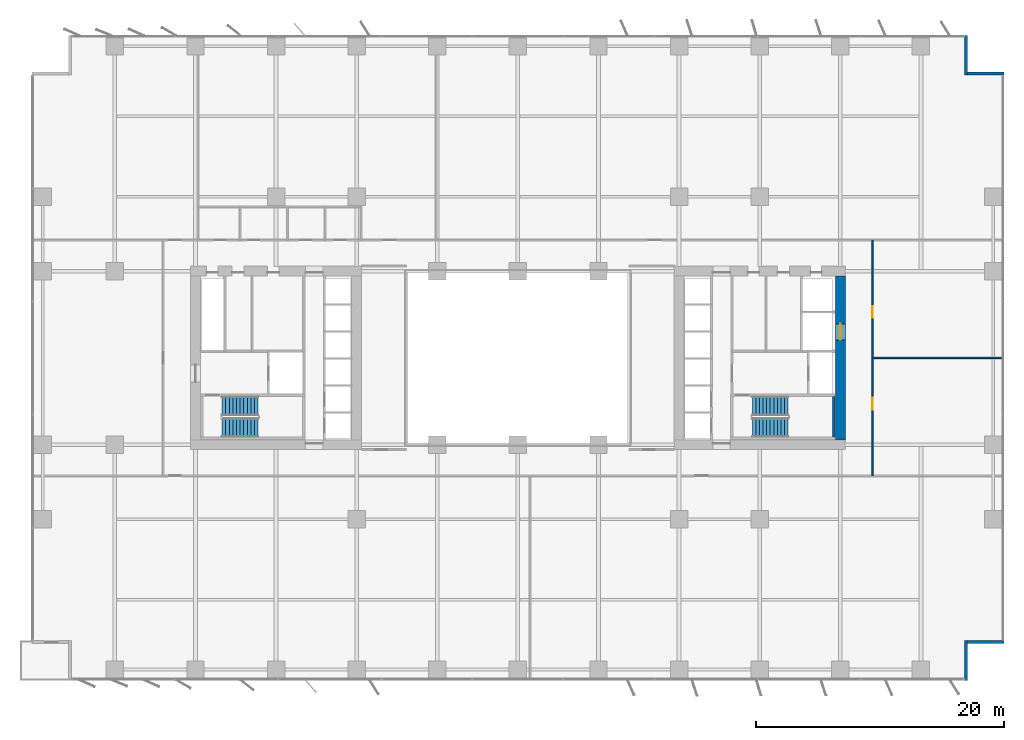
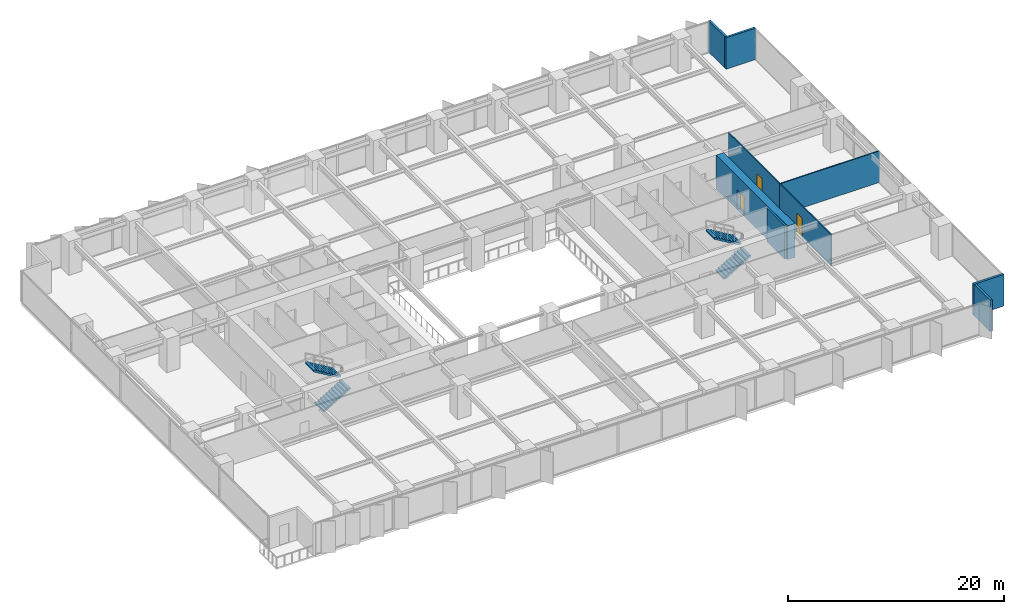
# One storey, part 16 of 20: 9 walls, 4 stair flights, 3 doors, 3 openings, 2 elements without a shape of their own.
"""IFC4 building model written with IfcOpenShell, lengths in metres."""

from ifc_helpers import new_model, si_unit, direction, frame, frame_2d, origin, place, context, subcontext, project, spatial, polyline, rectangle, outline, extrude, material, layer, layer_set, type_object, element, fill, aggregate, save


model = new_model("IFC4")

# Units and contexts
model_context = context("Model", 3, precision=1e-05, world=origin(), true_north=direction((0.0, 1.0)))
body_context = subcontext(model_context, "Body", "Model", "MODEL_VIEW")
ifc_project = project(units=[si_unit("LENGTHUNIT", "METRE"), si_unit("AREAUNIT", "SQUARE_METRE"), si_unit("VOLUMEUNIT", "CUBIC_METRE"), si_unit("PLANEANGLEUNIT", "RADIAN"), si_unit("MASSUNIT", "GRAM", prefix="KILO")], contexts=[model_context])

# Site, building, storey
site_placement = place(None, origin())
site = spatial("IfcSite", under=ifc_project, at=site_placement, CompositionType="ELEMENT")
building_placement = place(site_placement, origin())
building = spatial("IfcBuilding", under=site, at=building_placement, Name="Putna Gate Headquarters", CompositionType="ELEMENT")
storey_placement = place(building_placement, frame((0.0, 0.0, 27.800048828125)))
storey = spatial("IfcBuildingStorey", under=building, at=storey_placement, Name="L05", CompositionType="ELEMENT", Elevation=27.800048828125)

# Wall, opening, door
ifc_material_1 = material(Name="Concrete C60/75", Category="concrete")
ifc_layer_1 = layer(ifc_material_1, 0.800048828125)
ifc_layer_set_1 = layer_set([ifc_layer_1], Name="Concrete C60/75")
wall_type_1 = type_object("IfcWallType", Name="WALL-CORE-800", PredefinedType="SHEAR", material=ifc_layer_set_1)
wall_1_placement = place(storey_placement, frame((65.0, 19.39990234375, 0.0), z_axis=(0.0, 0.0, 1.0), x_axis=(0.0, 1.0, 0.0)))
wall_1 = element("IfcWall", 1, at=wall_1_placement, inside=storey, type_object=wall_type_1, Name="L05 EC Split Core Shear Wall E", PredefinedType="SHEAR", context=body_context, shape_type="SweptSolid", body=[
    extrude(rectangle(XDim=13.2001953125, YDim=0.800048828125, at=frame_2d((6.60009765625, 0.0))), origin(), (0.0, 0.0, 1.0), 3.800048828125),
])
opening_1_placement = place(wall_1_placement, frame((8.050048828125, 0.0, 0.0)))
opening_1 = element("IfcOpeningElement", 2, at=opening_1_placement, cuts=wall_1, Name="Opening LD-2", PredefinedType="OPENING", context=body_context, shape_type="SweptSolid", body=[
    extrude(rectangle(XDim=1.300048828125, YDim=2.199951171875, at=frame_2d((0.64990234375, 1.10009765625))), frame((0.0, 0.409912109375, 0.0), z_axis=(0.0, -1.0, 0.0), x_axis=(1.0, 0.0, 0.0)), (0.0, 0.0, 1.0), 0.820068359375),
])
ifc_material_2 = material(Name="Heavy-duty goods lift sliding landing door")
door_type_1 = type_object("IfcDoorType", Name="DOOR-LIFT-1300", OperationType="DOUBLE_DOOR_SLIDING", PredefinedType="DOOR", material=ifc_material_2)
door_1_placement = place(opening_1_placement, origin())
door_1 = element("IfcDoor", 3, at=door_1_placement, inside=storey, type_object=door_type_1, Name="L05 Goods Lift Landing Door LD-15", OperationType="DOUBLE_DOOR_SLIDING", OverallHeight=2.199951171875, OverallWidth=1.300048828125, PredefinedType="DOOR", context=body_context, shape_type="SweptSolid", body=[
    extrude(rectangle(XDim=1.300048828125, YDim=2.199951171875, at=frame_2d((0.64990234375, 1.10009765625))), frame((0.0, 0.02490234375, 0.0), z_axis=(0.0, -1.0, 0.0), x_axis=(1.0, 0.0, 0.0)), (0.0, 0.0, 1.0), 0.050048828125),
])
fill(opening_1, door_1)

# Walls
ifc_material_3 = material(Name="Precast concrete C40/50", Category="concrete")
ifc_layer_2 = layer(ifc_material_3, 0.239990234375)
ifc_layer_set_2 = layer_set([ifc_layer_2], Name="Precast concrete C40/50")
wall_type_2 = type_object("IfcWallType", Name="WALL-EXT-TERR-240", PredefinedType="STANDARD", material=ifc_layer_set_2)
for number, where, z_axis, x_axis, name in (
    (4, (75.1201171875, 52.0, 0.0), (0.0, 0.0, 1.0), (0.0, -1.0, 0.0), "L05 Corner Notch Return Wall NE-V"),
    (5, (75.0, 48.919921875, 0.0), (0.0, 0.0, 1.0), (1.0, 0.0, 0.0), "L05 Corner Notch Return Wall NE-H"),
    (6, (75.1201171875, 3.199951171875, 0.0), (0.0, 0.0, 1.0), (0.0, -1.0, 0.0), "L05 Corner Notch Return Wall SE-V"),
    (7, (78.199951171875, 3.080078125, 0.0), (0.0, 0.0, 1.0), (-1.0, 0.0, 0.0), "L05 Corner Notch Return Wall SE-H"),
):
    element("IfcWall", number, at=place(storey_placement, frame(where, z_axis=z_axis, x_axis=x_axis)), inside=storey, type_object=wall_type_2, Name=name, PredefinedType="STANDARD", context=body_context, shape_type="SweptSolid", body=[
        extrude(rectangle(XDim=3.199951171875, YDim=0.239990234375, at=frame_2d((1.60009765625, 0.0))), origin(), (0.0, 0.0, 1.0), 3.550048828125),
    ])
ifc_material_4 = material(Name="Acoustic gypsum board on metal stud")
ifc_layer_3 = layer(ifc_material_4, 0.1201171875)
ifc_layer_set_3 = layer_set([ifc_layer_3], Name="Acoustic gypsum board on metal stud")
wall_type_3 = type_object("IfcWallType", Name="WALL-PART-120", PredefinedType="PARTITIONING", material=ifc_layer_set_3)
wall_2_placement = place(storey_placement, frame((67.60009765625, 26.0, 0.0), z_axis=(0.0, 0.0, 1.0), x_axis=(1.0, 0.0, 0.0)))
element("IfcWall", 8, at=wall_2_placement, inside=storey, type_object=wall_type_3, Name="L05 Interior Wall PART-L05-EW-DIV-1", PredefinedType="PARTITIONING", context=body_context, shape_type="SweptSolid", body=[
    extrude(rectangle(XDim=10.579833984375, YDim=0.1201171875, at=frame_2d((5.2900390625, 0.0))), origin(), (0.0, 0.0, 1.0), 3.550048828125),
])

# Wall, opening, door
ifc_material_5 = material(Name="Fire-rated gypsum board on metal stud")
ifc_layer_4 = layer(ifc_material_5, 0.1201171875)
ifc_layer_set_4 = layer_set([ifc_layer_4], Name="Fire-rated gypsum board on metal stud")
wall_type_4 = type_object("IfcWallType", Name="WALL-PART-120-RATED", PredefinedType="PARTITIONING", material=ifc_layer_set_4)
wall_3_placement = place(storey_placement, frame((67.60009765625, 16.5, 0.0), z_axis=(0.0, 0.0, 1.0), x_axis=(0.0, 1.0, 0.0)))
wall_3 = element("IfcWall", 9, at=wall_3_placement, inside=storey, type_object=wall_type_4, Name="L05 Interior Wall PART-L05-EW-CW-1", PredefinedType="PARTITIONING", context=body_context, shape_type="SweptSolid", body=[
    extrude(rectangle(XDim=9.5, YDim=0.1201171875, at=frame_2d((4.75, 0.0))), origin(), (0.0, 0.0, 1.0), 3.550048828125),
])
opening_2_placement = place(wall_3_placement, frame((5.324951171875, 0.0, 0.0)))
opening_2 = element("IfcOpeningElement", 10, at=opening_2_placement, cuts=wall_3, Name="Opening FD-95", PredefinedType="OPENING", context=body_context, shape_type="SweptSolid", body=[
    extrude(rectangle(XDim=0.949951171875, YDim=2.14990234375, at=frame_2d((0.47509765625, 1.074951171875))), frame((0.0, 0.070068359375, 0.0), z_axis=(0.0, -1.0, 0.0), x_axis=(1.0, 0.0, 0.0)), (0.0, 0.0, 1.0), 0.14013671875),
])
ifc_material_6 = material(Name="Acoustic timber fire door", Category="wood")
door_type_2 = type_object("IfcDoorType", Name="DOOR-FIRE-950", OperationType="NOTDEFINED", PredefinedType="DOOR", material=ifc_material_6)
door_2_placement = place(opening_2_placement, origin())
door_2 = element("IfcDoor", 11, at=door_2_placement, inside=storey, type_object=door_type_2, Name="L05 East Advisory Office 1 Door", OperationType="SINGLE_SWING_LEFT", OverallHeight=2.14990234375, OverallWidth=0.949951171875, PredefinedType="DOOR", context=body_context, shape_type="SweptSolid", body=[
    extrude(rectangle(XDim=0.949951171875, YDim=2.14990234375, at=frame_2d((0.47509765625, 1.074951171875))), frame((0.0, 0.02490234375, 0.0), z_axis=(0.0, -1.0, 0.0), x_axis=(1.0, 0.0, 0.0)), (0.0, 0.0, 1.0), 0.050048828125),
])
fill(opening_2, door_2)

wall_4_placement = place(storey_placement, frame((67.60009765625, 26.0, 0.0), z_axis=(0.0, 0.0, 1.0), x_axis=(0.0, 1.0, 0.0)))
wall_4 = element("IfcWall", 12, at=wall_4_placement, inside=storey, type_object=wall_type_4, Name="L05 Interior Wall PART-L05-EW-CW-2", PredefinedType="PARTITIONING", context=body_context, shape_type="SweptSolid", body=[
    extrude(rectangle(XDim=9.5, YDim=0.1201171875, at=frame_2d((4.75, 0.0))), origin(), (0.0, 0.0, 1.0), 3.550048828125),
])
opening_3_placement = place(wall_4_placement, frame((3.22509765625, 0.0, 0.0)))
opening_3 = element("IfcOpeningElement", 13, at=opening_3_placement, cuts=wall_4, Name="Opening FD-95", PredefinedType="OPENING", context=body_context, shape_type="SweptSolid", body=[
    extrude(rectangle(XDim=0.949951171875, YDim=2.14990234375, at=frame_2d((0.47509765625, 1.074951171875))), frame((0.0, 0.070068359375, 0.0), z_axis=(0.0, -1.0, 0.0), x_axis=(1.0, 0.0, 0.0)), (0.0, 0.0, 1.0), 0.14013671875),
])
door_3_placement = place(opening_3_placement, origin())
door_3 = element("IfcDoor", 14, at=door_3_placement, inside=storey, type_object=door_type_2, Name="L05 East Horizon Conference Room 2 Door", OperationType="SINGLE_SWING_RIGHT", OverallHeight=2.14990234375, OverallWidth=0.949951171875, PredefinedType="DOOR", context=body_context, shape_type="SweptSolid", body=[
    extrude(rectangle(XDim=0.949951171875, YDim=2.14990234375, at=frame_2d((0.47509765625, 1.074951171875))), frame((0.0, 0.02490234375, 0.0), z_axis=(0.0, -1.0, 0.0), x_axis=(1.0, 0.0, 0.0)), (0.0, 0.0, 1.0), 0.050048828125),
])
fill(opening_3, door_3)

# Wall
ifc_material_7 = material(Name="Concrete C40/50", Category="concrete")
ifc_layer_5 = layer(ifc_material_7, 0.199951171875)
ifc_layer_set_5 = layer_set([ifc_layer_5], Name="Concrete C40/50")
wall_type_5 = type_object("IfcWallType", Name="WALL-SHAFT-RC200", PredefinedType="SHEAR", material=ifc_layer_set_5)
wall_5_placement = place(storey_placement, frame((64.489990234375, 19.610107421875, 0.0), z_axis=(0.0, 0.0, 1.0), x_axis=(0.0, 1.0, 0.0)))
element("IfcWall", 15, at=wall_5_placement, inside=storey, type_object=wall_type_5, Name="L05 Stair ST2 Structural Shaft Wall E", PredefinedType="SHEAR", context=body_context, shape_type="SweptSolid", body=[
    extrude(rectangle(XDim=3.27978515625, YDim=0.199951171875, at=frame_2d((1.639892578125, 0.0))), origin(), (0.0, 0.0, 1.0), 3.800048828125),
])

# Stair, stair flights
stair_type_1 = type_object("IfcStairType", Name="STAIR-ST1", PredefinedType="HALF_TURN_STAIR", material=ifc_material_7)
stair_1_placement = place(storey_placement, origin())
stair_1 = element("IfcStair", 16, at=stair_1_placement, inside=storey, type_object=stair_type_1, Name="L05 West Core Exit Stair ST1", PredefinedType="HALF_TURN_STAIR")
stair_flight_type_1 = type_object("IfcStairFlightType", Name="FLIGHT-ST1", PredefinedType="STRAIGHT", material=ifc_material_7)
stair_flight_1_placement = place(storey_placement, frame((15.14990234375, 20.375, 0.0), z_axis=(0.0, 0.0, 1.0), x_axis=(1.0, 0.0, 0.0)))
stair_flight_1 = element("IfcStairFlight", 17, at=stair_flight_1_placement, type_object=stair_flight_type_1, Name="ST1 flight 1", NumberOfRisers=11, NumberOfTreads=10, PredefinedType="STRAIGHT", RiserHeight=0.172727273, TreadLength=0.29, context=body_context, shape_type="SweptSolid", body=[
    extrude(outline(polyline([(0.0, 0.0), (0.0, 0.172607421875), (0.2900390625, 0.172607421875), (0.2900390625, 0.345458984375), (0.580078125, 0.345458984375), (0.580078125, 0.51806640625), (0.8701171875, 0.51806640625), (0.8701171875, 0.69091796875), (1.159912109375, 0.69091796875), (1.159912109375, 0.863525390625), (1.449951171875, 0.863525390625), (1.449951171875, 1.036376953125), (1.739990234375, 1.036376953125), (1.739990234375, 1.208984375), (2.030029296875, 1.208984375), (2.030029296875, 1.3818359375), (2.320068359375, 1.3818359375), (2.320068359375, 1.554443359375), (2.610107421875, 1.554443359375), (2.610107421875, 1.727294921875), (2.89990234375, 1.727294921875), (2.89990234375, 1.89990234375), (2.89990234375, 1.552734375), (0.29296875, 0.0), (0.0, 0.0)])), frame((0.0, 0.77490234375, 0.0), z_axis=(0.0, -1.0, 0.0), x_axis=(1.0, 0.0, 0.0)), (0.0, 0.0, 1.0), 1.550048828125),
])
stair_flight_2_placement = place(storey_placement, frame((18.050048828125, 22.125, 1.89990234375), z_axis=(0.0, 0.0, 1.0), x_axis=(-1.0, 0.0, 0.0)))
stair_flight_2 = element("IfcStairFlight", 18, at=stair_flight_2_placement, type_object=stair_flight_type_1, Name="ST1 flight 2", NumberOfRisers=11, NumberOfTreads=10, PredefinedType="STRAIGHT", RiserHeight=0.172727273, TreadLength=0.29, context=body_context, shape_type="SweptSolid", body=[
    extrude(outline(polyline([(0.0, 0.0), (0.0, 0.172607421875), (0.2900390625, 0.172607421875), (0.2900390625, 0.345458984375), (0.580078125, 0.345458984375), (0.580078125, 0.51806640625), (0.8701171875, 0.51806640625), (0.8701171875, 0.69091796875), (1.159912109375, 0.69091796875), (1.159912109375, 0.863525390625), (1.449951171875, 0.863525390625), (1.449951171875, 1.036376953125), (1.739990234375, 1.036376953125), (1.739990234375, 1.208984375), (2.030029296875, 1.208984375), (2.030029296875, 1.3818359375), (2.320068359375, 1.3818359375), (2.320068359375, 1.554443359375), (2.610107421875, 1.554443359375), (2.610107421875, 1.727294921875), (2.89990234375, 1.727294921875), (2.89990234375, 1.89990234375), (2.89990234375, 1.552734375), (0.29296875, 0.0), (0.0, 0.0)])), frame((0.0, 0.77490234375, 0.0), z_axis=(0.0, -1.0, 0.0), x_axis=(1.0, 0.0, 0.0)), (0.0, 0.0, 1.0), 1.550048828125),
])
aggregate(stair_1, [stair_flight_1, stair_flight_2])

stair_type_2 = type_object("IfcStairType", Name="STAIR-ST2", PredefinedType="HALF_TURN_STAIR", material=ifc_material_7)
stair_2_placement = place(storey_placement, origin())
stair_2 = element("IfcStair", 19, at=stair_2_placement, inside=storey, type_object=stair_type_2, Name="L05 East Core Exit Stair ST2", PredefinedType="HALF_TURN_STAIR")
stair_flight_type_2 = type_object("IfcStairFlightType", Name="FLIGHT-ST2", PredefinedType="STRAIGHT", material=ifc_material_7)
stair_flight_3_placement = place(storey_placement, frame((57.89990234375, 20.375, 0.0), z_axis=(0.0, 0.0, 1.0), x_axis=(1.0, 0.0, 0.0)))
stair_flight_3 = element("IfcStairFlight", 20, at=stair_flight_3_placement, type_object=stair_flight_type_2, Name="ST2 flight 1", NumberOfRisers=11, NumberOfTreads=10, PredefinedType="STRAIGHT", RiserHeight=0.172727273, TreadLength=0.29, context=body_context, shape_type="SweptSolid", body=[
    extrude(outline(polyline([(0.0, 0.0), (0.0, 0.172607421875), (0.2900390625, 0.172607421875), (0.2900390625, 0.345458984375), (0.580078125, 0.345458984375), (0.580078125, 0.51806640625), (0.8701171875, 0.51806640625), (0.8701171875, 0.69091796875), (1.159912109375, 0.69091796875), (1.159912109375, 0.863525390625), (1.449951171875, 0.863525390625), (1.449951171875, 1.036376953125), (1.739990234375, 1.036376953125), (1.739990234375, 1.208984375), (2.030029296875, 1.208984375), (2.030029296875, 1.3818359375), (2.320068359375, 1.3818359375), (2.320068359375, 1.554443359375), (2.610107421875, 1.554443359375), (2.610107421875, 1.727294921875), (2.89990234375, 1.727294921875), (2.89990234375, 1.89990234375), (2.89990234375, 1.552734375), (0.29296875, 0.0), (0.0, 0.0)])), frame((0.0, 0.77490234375, 0.0), z_axis=(0.0, -1.0, 0.0), x_axis=(1.0, 0.0, 0.0)), (0.0, 0.0, 1.0), 1.550048828125),
])
stair_flight_4_placement = place(storey_placement, frame((60.800048828125, 22.125, 1.89990234375), z_axis=(0.0, 0.0, 1.0), x_axis=(-1.0, 0.0, 0.0)))
stair_flight_4 = element("IfcStairFlight", 21, at=stair_flight_4_placement, type_object=stair_flight_type_2, Name="ST2 flight 2", NumberOfRisers=11, NumberOfTreads=10, PredefinedType="STRAIGHT", RiserHeight=0.172727273, TreadLength=0.29, context=body_context, shape_type="SweptSolid", body=[
    extrude(outline(polyline([(0.0, 0.0), (0.0, 0.172607421875), (0.2900390625, 0.172607421875), (0.2900390625, 0.345458984375), (0.580078125, 0.345458984375), (0.580078125, 0.51806640625), (0.8701171875, 0.51806640625), (0.8701171875, 0.69091796875), (1.159912109375, 0.69091796875), (1.159912109375, 0.863525390625), (1.449951171875, 0.863525390625), (1.449951171875, 1.036376953125), (1.739990234375, 1.036376953125), (1.739990234375, 1.208984375), (2.030029296875, 1.208984375), (2.030029296875, 1.3818359375), (2.320068359375, 1.3818359375), (2.320068359375, 1.554443359375), (2.610107421875, 1.554443359375), (2.610107421875, 1.727294921875), (2.89990234375, 1.727294921875), (2.89990234375, 1.89990234375), (2.89990234375, 1.552734375), (0.29296875, 0.0), (0.0, 0.0)])), frame((0.0, 0.77490234375, 0.0), z_axis=(0.0, -1.0, 0.0), x_axis=(1.0, 0.0, 0.0)), (0.0, 0.0, 1.0), 1.550048828125),
])
aggregate(stair_2, [stair_flight_3, stair_flight_4])

save(model, "model.ifc")
